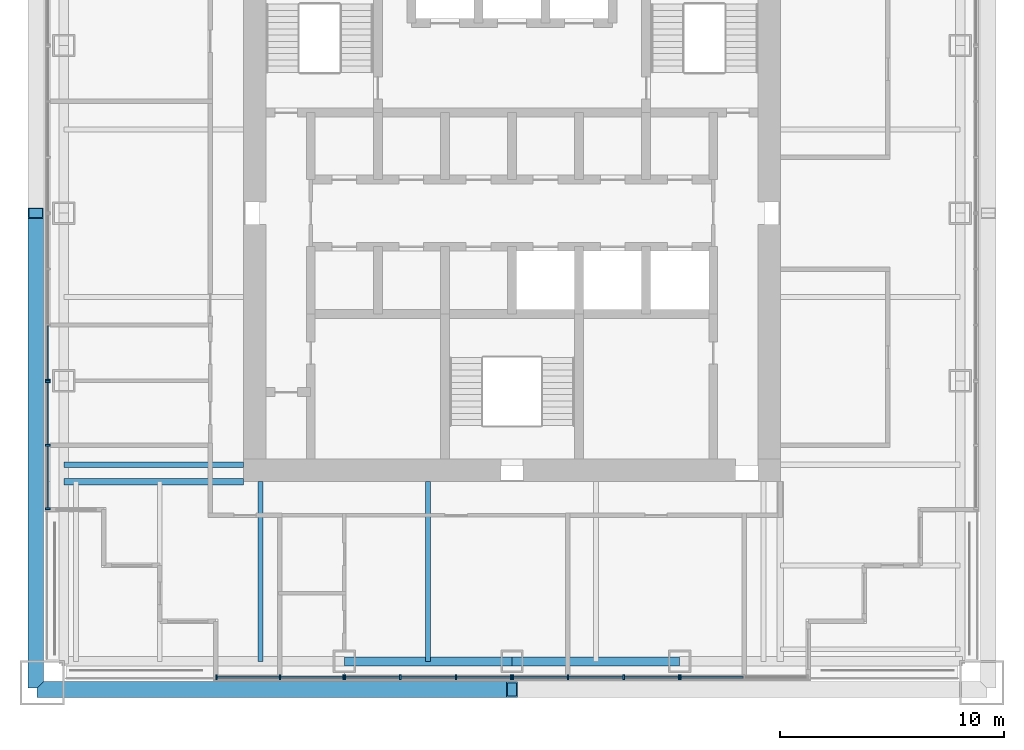
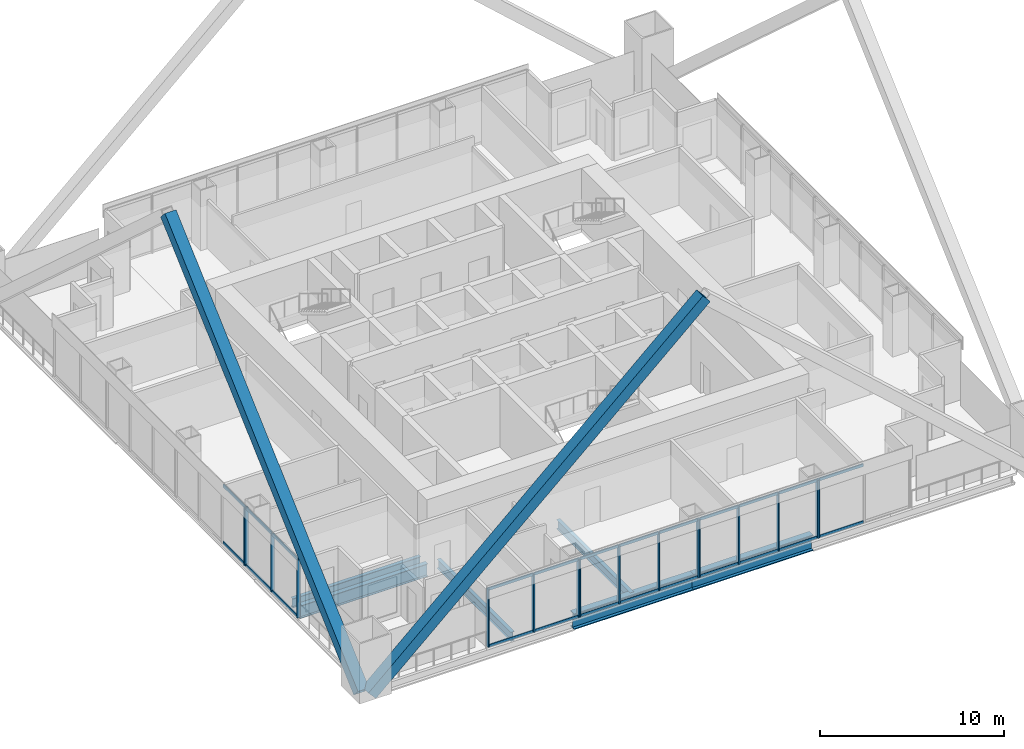
# One storey, part 2 of 13: 42 members, 6 beams, 6 elements without a shape of their own.
"""IFC4 building model written with IfcOpenShell, lengths in metres."""

import ifcopenshell
import ifcopenshell.guid

model = None  # the IFC model being written
_history = None  # IfcOwnerHistory: only IFC2X3 demands one
_inside = {}  # id of a spatial element -> (the spatial element, [elements in it])
_under = {}  # id of a project, library or spatial element -> (it, [spatial elements below it])
_declared = {}  # id of a project -> (the project, [libraries it declares])
_typed = {}  # id of a type object -> (the type object, [elements of that type])
_made_of = {}  # id of a material, layer set ... -> (it, [elements and type objects made of it])


def new_model(schema):
    """Start an empty IFC model of exactly this schema.

    Asked for "IFC4X3", IfcOpenShell would pick the latest addendum, in which some entities
    have other attributes; the version numbers below select the first issue.
    IFC2X3 requires an IfcOwnerHistory on every rooted entity: one is made here for all.
    """
    global model, _history
    if schema == "IFC4X3":
        model = ifcopenshell.file(schema_version=(4, 3, 0, 0))
    else:
        model = ifcopenshell.file(schema=schema)
    _inside.clear()
    _under.clear()
    _declared.clear()
    _typed.clear()
    _made_of.clear()
    _history = None
    if model.schema == "IFC2X3":
        org = make("IfcOrganization", Name="unknown")
        user = make(
            "IfcPersonAndOrganization",
            ThePerson=make("IfcPerson", FamilyName="unknown"),
            TheOrganization=org,
        )
        app = make(
            "IfcApplication",
            ApplicationDeveloper=org,
            Version="unknown",
            ApplicationFullName="unknown",
            ApplicationIdentifier="unknown",
        )
        _history = make(
            "IfcOwnerHistory",
            OwningUser=user,
            OwningApplication=app,
            ChangeAction="ADDED",
            CreationDate=0,
        )
    return model


def make(cls, **values):
    """One entity of the class cls with the attributes given. An attribute that is None is left unset."""
    return model.create_entity(
        cls, **{name: value for name, value in values.items() if value is not None}
    )


def rooted(cls, **values):
    """An entity with a GlobalId (a new one), such as an element, a storey or a relation."""
    return make(cls, GlobalId=ifcopenshell.guid.new(), OwnerHistory=_history, **values)


def si_unit(unit_type, name, prefix=None):
    """IfcSIUnit, for example si_unit("LENGTHUNIT", "METRE", prefix="MILLI")."""
    return make("IfcSIUnit", UnitType=unit_type, Prefix=prefix, Name=name)


def assignment(units):
    """IfcUnitAssignment: the units of a project."""
    return None if units is None else make("IfcUnitAssignment", Units=units)


def point(xyz):
    """IfcCartesianPoint."""
    return None if xyz is None else make("IfcCartesianPoint", Coordinates=xyz)


def direction(xyz):
    """IfcDirection."""
    return None if xyz is None else make("IfcDirection", DirectionRatios=xyz)


def frame(location, z_axis=None, x_axis=None):
    """IfcAxis2Placement3D, a coordinate frame: its origin and axes. An axis left out is left unset."""
    return make(
        "IfcAxis2Placement3D",
        Location=point(location),
        Axis=direction(z_axis),
        RefDirection=direction(x_axis),
    )


def frame_2d(location, x_axis=None):
    """IfcAxis2Placement2D, a coordinate frame in the plane: its origin and x axis."""
    return make(
        "IfcAxis2Placement2D", Location=point(location), RefDirection=direction(x_axis)
    )


def origin():
    """The frame at (0, 0, 0) with its axes left unset."""
    return frame((0.0, 0.0, 0.0))


def origin_2d():
    """The frame at (0, 0) in the plane with its x axis left unset."""
    return frame_2d((0.0, 0.0))


def place(relative_to, where):
    """IfcLocalPlacement: puts the frame where relative to a parent placement (None: the world)."""
    return make(
        "IfcLocalPlacement", PlacementRelTo=relative_to, RelativePlacement=where
    )


def context(
    kind, dimensions, precision=None, world=None, true_north=None, identifier=None
):
    """IfcGeometricRepresentationContext, for example the 3D "Model" context."""
    return make(
        "IfcGeometricRepresentationContext",
        ContextIdentifier=identifier,
        ContextType=kind,
        CoordinateSpaceDimension=dimensions,
        Precision=precision,
        WorldCoordinateSystem=world,
        TrueNorth=true_north,
    )


def subcontext(parent, identifier, kind, view, scale=None):
    """IfcGeometricRepresentationSubContext, for example "Body" below "Model"."""
    return make(
        "IfcGeometricRepresentationSubContext",
        ContextIdentifier=identifier,
        ContextType=kind,
        ParentContext=parent,
        TargetScale=scale,
        TargetView=view,
    )


def project(units=None, contexts=None):
    """IfcProject with its units and contexts."""
    return rooted(
        "IfcProject",
        Name="project",
        RepresentationContexts=contexts,
        UnitsInContext=assignment(units),
    )


def spatial(cls, under=None, at=None, **own):
    """A site, building, storey or space (cls), placed at a placement, below another one or the project."""
    s = rooted(cls, ObjectPlacement=at, **own)
    if under is not None:
        _under.setdefault(under.id(), (under, []))[1].append(s)
    return s


def profile(cls, at=None, kind="AREA", **sizes):
    """A parametric profile (cls). Its sizes go by their IFC names, for example OverallWidth=200.0."""
    return make(cls, ProfileType=kind, Position=at, **sizes)


def rectangle(**sizes):
    """IfcRectangleProfileDef."""
    return profile("IfcRectangleProfileDef", **sizes)


def hollow_rectangle(**sizes):
    """IfcRectangleHollowProfileDef."""
    return profile("IfcRectangleHollowProfileDef", **sizes)


def i_section(**sizes):
    """IfcIShapeProfileDef."""
    return profile("IfcIShapeProfileDef", **sizes)


def extrude(swept, where, along, depth):
    """IfcExtrudedAreaSolid: the profile swept, set in the frame where, extruded along a direction by depth."""
    return make(
        "IfcExtrudedAreaSolid",
        SweptArea=swept,
        Position=where,
        ExtrudedDirection=direction(along),
        Depth=depth,
    )


def shape(context_of_items, identifier, shape_type, items):
    """IfcShapeRepresentation: the items that make up one representation, for example the "Body"."""
    return make(
        "IfcShapeRepresentation",
        ContextOfItems=context_of_items,
        RepresentationIdentifier=identifier,
        RepresentationType=shape_type,
        Items=items,
    )


def material(Name=None, Category=None):
    """IfcMaterial."""
    return make("IfcMaterial", Name=Name, Category=Category)


def material_profile(
    of_material, cross_section, Name=None, Category=None, Priority=None
):
    """IfcMaterialProfile: a cross section and its material."""
    return make(
        "IfcMaterialProfile",
        Name=Name,
        Material=of_material,
        Profile=cross_section,
        Priority=Priority,
        Category=Category,
    )


def profile_set(profiles, Name=None, composite=None):
    """IfcMaterialProfileSet."""
    return make(
        "IfcMaterialProfileSet",
        Name=Name,
        MaterialProfiles=profiles,
        CompositeProfile=composite,
    )


def made_of(thing, what):
    """Note that an element or type object is made of a material, layer set ...; save() writes the relation."""
    if what is not None:
        _made_of.setdefault(what.id(), (what, []))[1].append(thing)
    return thing


def type_object(cls, material=None, **own):
    """A type object (cls), such as IfcWallType, which elements share."""
    return made_of(rooted(cls, **own), material)


def element(
    cls,
    number,
    at=None,
    inside=None,
    cuts=None,
    type_object=None,
    material=None,
    context=None,
    identifier="Body",
    shape_type=None,
    held_by="IfcProductDefinitionShape",
    body=None,
    shapes=None,
    **own,
):
    """One element of the class cls, such as IfcWall. Its Tag is "e" and its number.

    at: its placement. inside: the storey or other place that contains it. cuts: it is an
    opening in that element (IfcRelVoidsElement). A single representation is given by context,
    identifier, shape_type and body (its items); several are given by shapes. held_by: the class
    of the entity that holds the representations. save() writes the other relations.
    """
    e = rooted(cls, Tag="e%d" % number, ObjectPlacement=at, **own)
    if body is not None:
        shapes = [shape(context, identifier, shape_type, body)]
    if shapes is not None:
        e.Representation = make(held_by, Representations=shapes)
    if inside is not None:
        _inside.setdefault(inside.id(), (inside, []))[1].append(e)
    if cuts is not None:
        rooted(
            "IfcRelVoidsElement", RelatingBuildingElement=cuts, RelatedOpeningElement=e
        )
    if type_object is not None:
        _typed.setdefault(type_object.id(), (type_object, []))[1].append(e)
    return made_of(e, material)


def aggregate(whole, parts):
    """IfcRelAggregates: a whole, such as a stair, and the parts it consists of."""
    return rooted("IfcRelAggregates", RelatingObject=whole, RelatedObjects=parts)


def save(model, path):
    """Write the relations noted so far, then the file.

    IfcRelAggregates (storeys below a building ...), IfcRelContainedInSpatialStructure (elements
    in a storey), IfcRelDefinesByType, IfcRelAssociatesMaterial and IfcRelDeclares: one each for
    every whole, place, type object, material and project.
    """
    for whole, parts in _under.values():
        aggregate(whole, parts)
    for where, things in _inside.values():
        rooted(
            "IfcRelContainedInSpatialStructure",
            RelatedElements=things,
            RelatingStructure=where,
        )
    for kind, things in _typed.values():
        rooted("IfcRelDefinesByType", RelatedObjects=things, RelatingType=kind)
    for what, things in _made_of.values():
        rooted("IfcRelAssociatesMaterial", RelatedObjects=things, RelatingMaterial=what)
    for by, libraries in _declared.values():
        rooted("IfcRelDeclares", RelatingContext=by, RelatedDefinitions=libraries)
    model.write(path)


model = new_model("IFC4")

# Units and contexts
model_context = context("Model", 3, precision=1e-05, world=origin(), true_north=direction((0.0, 1.0)))
body_context = subcontext(model_context, "Body", "Model", "MODEL_VIEW")
ifc_project = project(units=[si_unit("LENGTHUNIT", "METRE"), si_unit("AREAUNIT", "SQUARE_METRE"), si_unit("VOLUMEUNIT", "CUBIC_METRE"), si_unit("PLANEANGLEUNIT", "RADIAN"), si_unit("MASSUNIT", "GRAM", prefix="KILO")], contexts=[model_context])

# Site, building, storey
site_placement = place(None, origin())
site = spatial("IfcSite", under=ifc_project, at=site_placement, CompositionType="ELEMENT")
building_placement = place(site_placement, origin())
building = spatial("IfcBuilding", under=site, at=building_placement, Name="Tarangal Relay Tower", CompositionType="ELEMENT")
storey_placement = place(building_placement, frame((0.0, 0.0, 259.89990234375)))
storey = spatial("IfcBuildingStorey", under=building, at=storey_placement, Name="L56", CompositionType="ELEMENT", Elevation=259.89990234375)

# Beams
ifc_material_1 = material(Name="Steel ASTM A992", Category="steel")
ifc_material_profile_1 = material_profile(ifc_material_1, i_section(OverallWidth=0.2919921875, OverallDepth=0.8408203125, WebThickness=0.0146484375, FlangeThickness=0.021728515625, at=origin_2d()), Name="W33X130")
ifc_profile_set_1 = profile_set([ifc_material_profile_1], Name="Steel ASTM A992")
beam_type_1 = type_object("IfcBeamType", Name="Corner girder W33X130", PredefinedType="BEAM", material=ifc_profile_set_1)
beam_placement = place(storey_placement, frame((-12.0, -12.0, -0.5703125), z_axis=(-1.0, 0.0, 0.0), x_axis=(0.0, -1.0, 0.0)))
element("IfcBeam", 1, at=beam_placement, inside=storey, type_object=beam_type_1, Name="Corner girder CG5 S L56", PredefinedType="BEAM", context=body_context, shape_type="SweptSolid", body=[
    extrude(i_section(OverallWidth=0.2919921875, OverallDepth=0.8408203125, WebThickness=0.0146484375, FlangeThickness=0.021728515625, at=origin_2d()), origin(), (0.0, 0.0, 1.0), 8.0400390625),
])
ifc_material_profile_2 = material_profile(ifc_material_1, i_section(OverallWidth=0.41162109375, OverallDepth=1.049072265625, WebThickness=0.033935546875, FlangeThickness=0.059814453125, at=origin_2d()), Name="W40X431")
ifc_profile_set_2 = profile_set([ifc_material_profile_2], Name="Steel ASTM A992")
beam_type_2 = type_object("IfcBeamType", Name="Edge girder W40X431", PredefinedType="SPANDREL", material=ifc_profile_set_2)
for number, where, z_axis, x_axis, name in (
    (2, (7.5, -20.0400390625, -0.67431640625), (-1.0, 0.0, 0.0), (0.0, -1.0, 0.0), "Edge girder EG1 S L56"),
    (3, (0.0, -20.0400390625, -0.67431640625), (-1.0, 0.0, 0.0), (0.0, -1.0, 0.0), "Edge girder EG1 S L56"),
):
    element("IfcBeam", number, at=place(storey_placement, frame(where, z_axis=z_axis, x_axis=x_axis)), inside=storey, type_object=beam_type_2, Name=name, PredefinedType="SPANDREL", context=body_context, shape_type="SweptSolid", body=[
        extrude(i_section(OverallWidth=0.41162109375, OverallDepth=1.049072265625, WebThickness=0.033935546875, FlangeThickness=0.059814453125, at=origin_2d()), origin(), (0.0, 0.0, 1.0), 7.5),
    ])
ifc_material_profile_3 = material_profile(ifc_material_1, i_section(OverallWidth=0.228271484375, OverallDepth=0.607177734375, WebThickness=0.01123046875, FlangeThickness=0.017333984375, at=origin_2d()), Name="W24X76")
ifc_profile_set_3 = profile_set([ifc_material_profile_3], Name="Steel ASTM A992")
beam_type_3 = type_object("IfcBeamType", Name="Floor beam W24X76", PredefinedType="BEAM", material=ifc_profile_set_3)
for number, where, z_axis, x_axis, name in (
    (4, (-3.75, -12.0, -0.453369140625), (0.0, -1.0, 0.0), (1.0, 0.0, 0.0), "Floor beam RB5 S L56"),
    (5, (-11.25, -12.0, -0.453369140625), (0.0, -1.0, 0.0), (1.0, 0.0, 0.0), "Floor beam RB5 S L56"),
    (6, (-12.0, -11.25, -0.453369140625), (-1.0, 0.0, 0.0), (0.0, -1.0, 0.0), "Floor beam RB5 W L56"),
):
    element("IfcBeam", number, at=place(storey_placement, frame(where, z_axis=z_axis, x_axis=x_axis)), inside=storey, type_object=beam_type_3, Name=name, PredefinedType="BEAM", context=body_context, shape_type="SweptSolid", body=[
        extrude(i_section(OverallWidth=0.228271484375, OverallDepth=0.607177734375, WebThickness=0.01123046875, FlangeThickness=0.017333984375, at=origin_2d()), origin(), (0.0, 0.0, 1.0), 8.0400390625),
    ])

# Members
ifc_material_2 = material(Name="Steel ASTM A572 Grade 50", Category="steel")
ifc_material_profile_4 = material_profile(ifc_material_2, hollow_rectangle(XDim=0.699951171875, YDim=0.699951171875, WallThickness=0.052001953125, at=origin_2d()), Name="BOX700X700X52")
ifc_profile_set_4 = profile_set([ifc_material_profile_4], Name="Steel ASTM A572 Grade 50")
member_type_1 = type_object("IfcMemberType", Name="Mega brace BOX700X700X52", PredefinedType="BRACE", material=ifc_profile_set_4)
for number, where, z_axis, x_axis, name in (
    (7, (-21.0, -21.300048828125, 0.0), (0.741535779124, 0.0, 0.670913323969), (0.0, 1.0, 0.0), "Mega brace MB4 S face module 1"),
    (8, (-21.300048828125, -21.0, 0.0), (0.0, 0.741535779124, 0.670913323969), (-1.0, 0.0, 0.0), "Mega brace MB4 W face module 1"),
):
    element("IfcMember", number, at=place(storey_placement, frame(where, z_axis=z_axis, x_axis=x_axis)), inside=storey, type_object=member_type_1, Name=name, PredefinedType="BRACE", context=body_context, shape_type="SweptSolid", body=[
        extrude(hollow_rectangle(XDim=0.699951171875, YDim=0.699951171875, WallThickness=0.052001953125, at=origin_2d()), origin(), (0.0, 0.0, 1.0), 28.319580078125),
    ])

# Curtain wall, member
ifc_material_3 = material(Name="Unitised curtain wall, dark glass and black aluminium", Category="aluminium")
curtain_wall_type = type_object("IfcCurtainWallType", Name="Curtain wall CW-S", PredefinedType="USERDEFINED", material=ifc_material_3)
curtain_wall_1_placement = place(storey_placement, origin())
curtain_wall_1 = element("IfcCurtainWall", 9, at=curtain_wall_1_placement, inside=storey, type_object=curtain_wall_type, Name="Curtain wall CW-S S facade L56", ObjectType="UNITISED CURTAIN WALL", PredefinedType="USERDEFINED")
ifc_material_4 = material(Name="Black anodised aluminium mullion", Category="aluminium")
ifc_material_profile_5 = material_profile(ifc_material_4, rectangle(XDim=0.219970703125, YDim=0.074951171875, at=origin_2d()), Name="CW-SM 75X220")
ifc_profile_set_5 = profile_set([ifc_material_profile_5], Name="Black anodised aluminium mullion")
member_type_2 = type_object("IfcMemberType", Name="Mullion CW-S 75 x 220", PredefinedType="MULLION", material=ifc_profile_set_5)
member_1_placement = place(storey_placement, frame((7.53759765625, -20.75, 0.0), z_axis=(0.0, 0.0, 1.0), x_axis=(0.0, -1.0, 0.0)))
member_1 = element("IfcMember", 10, at=member_1_placement, type_object=member_type_2, Name="CW-S mullion 3", PredefinedType="MULLION", context=body_context, shape_type="SweptSolid", body=[
    extrude(rectangle(XDim=0.219970703125, YDim=0.074951171875, at=origin_2d()), origin(), (0.0, 0.0, 1.0), 3.85009765625),
])

# Curtain wall, members
curtain_wall_2_placement = place(storey_placement, origin())
curtain_wall_2 = element("IfcCurtainWall", 11, at=curtain_wall_2_placement, inside=storey, type_object=curtain_wall_type, Name="Curtain wall CW-S S facade L56", ObjectType="UNITISED CURTAIN WALL", PredefinedType="USERDEFINED")
member_2_placement = place(storey_placement, frame((7.46240234375, -20.75, 0.0), z_axis=(0.0, 0.0, 1.0), x_axis=(0.0, -1.0, 0.0)))
member_2 = element("IfcMember", 12, at=member_2_placement, type_object=member_type_2, Name="CW-S mullion 1", PredefinedType="MULLION", context=body_context, shape_type="SweptSolid", body=[
    extrude(rectangle(XDim=0.219970703125, YDim=0.074951171875, at=origin_2d()), origin(), (0.0, 0.0, 1.0), 3.85009765625),
])
member_3_placement = place(storey_placement, frame((5.0, -20.75, 0.0), z_axis=(0.0, 0.0, 1.0), x_axis=(0.0, -1.0, 0.0)))
member_3 = element("IfcMember", 13, at=member_3_placement, type_object=member_type_2, Name="CW-S mullion 2", PredefinedType="MULLION", context=body_context, shape_type="SweptSolid", body=[
    extrude(rectangle(XDim=0.219970703125, YDim=0.074951171875, at=origin_2d()), origin(), (0.0, 0.0, 1.0), 3.85009765625),
])
member_4_placement = place(storey_placement, frame((2.5, -20.75, 0.0), z_axis=(0.0, 0.0, 1.0), x_axis=(0.0, -1.0, 0.0)))
member_4 = element("IfcMember", 14, at=member_4_placement, type_object=member_type_2, Name="CW-S mullion 3", PredefinedType="MULLION", context=body_context, shape_type="SweptSolid", body=[
    extrude(rectangle(XDim=0.219970703125, YDim=0.074951171875, at=origin_2d()), origin(), (0.0, 0.0, 1.0), 3.85009765625),
])
member_5_placement = place(storey_placement, frame((0.03759765625, -20.75, 0.0), z_axis=(0.0, 0.0, 1.0), x_axis=(0.0, -1.0, 0.0)))
member_5 = element("IfcMember", 15, at=member_5_placement, type_object=member_type_2, Name="CW-S mullion 4", PredefinedType="MULLION", context=body_context, shape_type="SweptSolid", body=[
    extrude(rectangle(XDim=0.219970703125, YDim=0.074951171875, at=origin_2d()), origin(), (0.0, 0.0, 1.0), 3.85009765625),
])

curtain_wall_3_placement = place(storey_placement, origin())
curtain_wall_3 = element("IfcCurtainWall", 16, at=curtain_wall_3_placement, inside=storey, type_object=curtain_wall_type, Name="Curtain wall CW-S S facade L56", ObjectType="UNITISED CURTAIN WALL", PredefinedType="USERDEFINED")
member_6_placement = place(storey_placement, frame((-0.03759765625, -20.75, 0.0), z_axis=(0.0, 0.0, 1.0), x_axis=(0.0, -1.0, 0.0)))
member_6 = element("IfcMember", 17, at=member_6_placement, type_object=member_type_2, Name="CW-S mullion 1", PredefinedType="MULLION", context=body_context, shape_type="SweptSolid", body=[
    extrude(rectangle(XDim=0.219970703125, YDim=0.074951171875, at=origin_2d()), origin(), (0.0, 0.0, 1.0), 3.85009765625),
])
member_7_placement = place(storey_placement, frame((-2.5, -20.75, 0.0), z_axis=(0.0, 0.0, 1.0), x_axis=(0.0, -1.0, 0.0)))
member_7 = element("IfcMember", 18, at=member_7_placement, type_object=member_type_2, Name="CW-S mullion 2", PredefinedType="MULLION", context=body_context, shape_type="SweptSolid", body=[
    extrude(rectangle(XDim=0.219970703125, YDim=0.074951171875, at=origin_2d()), origin(), (0.0, 0.0, 1.0), 3.85009765625),
])
member_8_placement = place(storey_placement, frame((-5.0, -20.75, 0.0), z_axis=(0.0, 0.0, 1.0), x_axis=(0.0, -1.0, 0.0)))
member_8 = element("IfcMember", 19, at=member_8_placement, type_object=member_type_2, Name="CW-S mullion 3", PredefinedType="MULLION", context=body_context, shape_type="SweptSolid", body=[
    extrude(rectangle(XDim=0.219970703125, YDim=0.074951171875, at=origin_2d()), origin(), (0.0, 0.0, 1.0), 3.85009765625),
])
member_9_placement = place(storey_placement, frame((-7.46240234375, -20.75, 0.0), z_axis=(0.0, 0.0, 1.0), x_axis=(0.0, -1.0, 0.0)))
member_9 = element("IfcMember", 20, at=member_9_placement, type_object=member_type_2, Name="CW-S mullion 4", PredefinedType="MULLION", context=body_context, shape_type="SweptSolid", body=[
    extrude(rectangle(XDim=0.219970703125, YDim=0.074951171875, at=origin_2d()), origin(), (0.0, 0.0, 1.0), 3.85009765625),
])

curtain_wall_4_placement = place(storey_placement, origin())
curtain_wall_4 = element("IfcCurtainWall", 21, at=curtain_wall_4_placement, inside=storey, type_object=curtain_wall_type, Name="Curtain wall CW-S S facade L56", ObjectType="UNITISED CURTAIN WALL", PredefinedType="USERDEFINED")
member_10_placement = place(storey_placement, frame((-7.53759765625, -20.75, 0.0), z_axis=(0.0, 0.0, 1.0), x_axis=(0.0, -1.0, 0.0)))
member_10 = element("IfcMember", 22, at=member_10_placement, type_object=member_type_2, Name="CW-S mullion 1", PredefinedType="MULLION", context=body_context, shape_type="SweptSolid", body=[
    extrude(rectangle(XDim=0.219970703125, YDim=0.074951171875, at=origin_2d()), origin(), (0.0, 0.0, 1.0), 3.85009765625),
])
member_11_placement = place(storey_placement, frame((-10.375, -20.75, 0.0), z_axis=(0.0, 0.0, 1.0), x_axis=(0.0, -1.0, 0.0)))
member_11 = element("IfcMember", 23, at=member_11_placement, type_object=member_type_2, Name="CW-S mullion 2", PredefinedType="MULLION", context=body_context, shape_type="SweptSolid", body=[
    extrude(rectangle(XDim=0.219970703125, YDim=0.074951171875, at=origin_2d()), origin(), (0.0, 0.0, 1.0), 3.85009765625),
])
member_12_placement = place(storey_placement, frame((-13.21240234375, -20.75, 0.0), z_axis=(0.0, 0.0, 1.0), x_axis=(0.0, -1.0, 0.0)))
member_12 = element("IfcMember", 24, at=member_12_placement, type_object=member_type_2, Name="CW-S mullion 3", PredefinedType="MULLION", context=body_context, shape_type="SweptSolid", body=[
    extrude(rectangle(XDim=0.219970703125, YDim=0.074951171875, at=origin_2d()), origin(), (0.0, 0.0, 1.0), 3.85009765625),
])

curtain_wall_5_placement = place(storey_placement, origin())
curtain_wall_5 = element("IfcCurtainWall", 25, at=curtain_wall_5_placement, inside=storey, type_object=curtain_wall_type, Name="Curtain wall CW-S W facade L56", ObjectType="UNITISED CURTAIN WALL", PredefinedType="USERDEFINED")
member_13_placement = place(storey_placement, frame((-20.75, -13.21240234375, 0.0), z_axis=(0.0, 0.0, 1.0), x_axis=(-1.0, 0.0, 0.0)))
member_13 = element("IfcMember", 26, at=member_13_placement, type_object=member_type_2, Name="CW-S mullion 1", PredefinedType="MULLION", context=body_context, shape_type="SweptSolid", body=[
    extrude(rectangle(XDim=0.219970703125, YDim=0.074951171875, at=origin_2d()), origin(), (0.0, 0.0, 1.0), 3.85009765625),
])
member_14_placement = place(storey_placement, frame((-20.75, -10.375, 0.0), z_axis=(0.0, 0.0, 1.0), x_axis=(-1.0, 0.0, 0.0)))
member_14 = element("IfcMember", 27, at=member_14_placement, type_object=member_type_2, Name="CW-S mullion 2", PredefinedType="MULLION", context=body_context, shape_type="SweptSolid", body=[
    extrude(rectangle(XDim=0.219970703125, YDim=0.074951171875, at=origin_2d()), origin(), (0.0, 0.0, 1.0), 3.85009765625),
])
member_15_placement = place(storey_placement, frame((-20.75, -7.53759765625, 0.0), z_axis=(0.0, 0.0, 1.0), x_axis=(-1.0, 0.0, 0.0)))
member_15 = element("IfcMember", 28, at=member_15_placement, type_object=member_type_2, Name="CW-S mullion 3", PredefinedType="MULLION", context=body_context, shape_type="SweptSolid", body=[
    extrude(rectangle(XDim=0.219970703125, YDim=0.074951171875, at=origin_2d()), origin(), (0.0, 0.0, 1.0), 3.85009765625),
])

# Curtain wall, member
curtain_wall_6_placement = place(storey_placement, origin())
curtain_wall_6 = element("IfcCurtainWall", 29, at=curtain_wall_6_placement, inside=storey, type_object=curtain_wall_type, Name="Curtain wall CW-S W facade L56", ObjectType="UNITISED CURTAIN WALL", PredefinedType="USERDEFINED")
member_16_placement = place(storey_placement, frame((-20.75, -7.46240234375, 0.0), z_axis=(0.0, 0.0, 1.0), x_axis=(-1.0, 0.0, 0.0)))
member_16 = element("IfcMember", 30, at=member_16_placement, type_object=member_type_2, Name="CW-S mullion 1", PredefinedType="MULLION", context=body_context, shape_type="SweptSolid", body=[
    extrude(rectangle(XDim=0.219970703125, YDim=0.074951171875, at=origin_2d()), origin(), (0.0, 0.0, 1.0), 3.85009765625),
])

# Member
ifc_material_5 = material(Name="Black anodised aluminium transom", Category="aluminium")
ifc_material_profile_6 = material_profile(ifc_material_5, rectangle(XDim=0.074951171875, YDim=0.179931640625, at=origin_2d()), Name="CW-ST 75X180")
ifc_profile_set_6 = profile_set([ifc_material_profile_6], Name="Black anodised aluminium transom")
member_type_3 = type_object("IfcMemberType", Name="Transom CW-S 75 x 180", PredefinedType="USERDEFINED", material=ifc_profile_set_6)
member_17_placement = place(storey_placement, frame((10.33740234375, -20.75, 0.03759765625), z_axis=(-1.0, 0.0, 0.0), x_axis=(0.0, -1.0, 0.0)))
member_17 = element("IfcMember", 31, at=member_17_placement, type_object=member_type_3, Name="CW-S transom 2.1", ObjectType="TRANSOM", PredefinedType="USERDEFINED", context=body_context, shape_type="SweptSolid", body=[
    extrude(rectangle(XDim=0.074951171875, YDim=0.179931640625, at=origin_2d()), origin(), (0.0, 0.0, 1.0), 2.762451171875),
])

member_18_placement = place(storey_placement, frame((10.33740234375, -20.75, 3.8125), z_axis=(-1.0, 0.0, 0.0), x_axis=(0.0, -1.0, 0.0)))
member_18 = element("IfcMember", 32, at=member_18_placement, type_object=member_type_3, Name="CW-S transom 2.2", ObjectType="TRANSOM", PredefinedType="USERDEFINED", context=body_context, shape_type="SweptSolid", body=[
    extrude(rectangle(XDim=0.074951171875, YDim=0.179931640625, at=origin_2d()), origin(), (0.0, 0.0, 1.0), 2.762451171875),
])

aggregate(curtain_wall_1, [member_1, member_17, member_18])

member_19_placement = place(storey_placement, frame((7.425048828125, -20.75, 0.03759765625), z_axis=(-1.0, 0.0, 0.0), x_axis=(0.0, -1.0, 0.0)))
member_19 = element("IfcMember", 33, at=member_19_placement, type_object=member_type_3, Name="CW-S transom 1.1", ObjectType="TRANSOM", PredefinedType="USERDEFINED", context=body_context, shape_type="SweptSolid", body=[
    extrude(rectangle(XDim=0.074951171875, YDim=0.179931640625, at=origin_2d()), origin(), (0.0, 0.0, 1.0), 2.387451171875),
])

member_20_placement = place(storey_placement, frame((7.425048828125, -20.75, 3.8125), z_axis=(-1.0, 0.0, 0.0), x_axis=(0.0, -1.0, 0.0)))
member_20 = element("IfcMember", 34, at=member_20_placement, type_object=member_type_3, Name="CW-S transom 1.2", ObjectType="TRANSOM", PredefinedType="USERDEFINED", context=body_context, shape_type="SweptSolid", body=[
    extrude(rectangle(XDim=0.074951171875, YDim=0.179931640625, at=origin_2d()), origin(), (0.0, 0.0, 1.0), 2.387451171875),
])

member_21_placement = place(storey_placement, frame((4.96240234375, -20.75, 0.03759765625), z_axis=(-1.0, 0.0, 0.0), x_axis=(0.0, -1.0, 0.0)))
member_21 = element("IfcMember", 35, at=member_21_placement, type_object=member_type_3, Name="CW-S transom 2.1", ObjectType="TRANSOM", PredefinedType="USERDEFINED", context=body_context, shape_type="SweptSolid", body=[
    extrude(rectangle(XDim=0.074951171875, YDim=0.179931640625, at=origin_2d()), origin(), (0.0, 0.0, 1.0), 2.4248046875),
])

member_22_placement = place(storey_placement, frame((4.96240234375, -20.75, 3.8125), z_axis=(-1.0, 0.0, 0.0), x_axis=(0.0, -1.0, 0.0)))
member_22 = element("IfcMember", 36, at=member_22_placement, type_object=member_type_3, Name="CW-S transom 2.2", ObjectType="TRANSOM", PredefinedType="USERDEFINED", context=body_context, shape_type="SweptSolid", body=[
    extrude(rectangle(XDim=0.074951171875, YDim=0.179931640625, at=origin_2d()), origin(), (0.0, 0.0, 1.0), 2.4248046875),
])

member_23_placement = place(storey_placement, frame((2.46240234375, -20.75, 0.03759765625), z_axis=(-1.0, 0.0, 0.0), x_axis=(0.0, -1.0, 0.0)))
member_23 = element("IfcMember", 37, at=member_23_placement, type_object=member_type_3, Name="CW-S transom 3.1", ObjectType="TRANSOM", PredefinedType="USERDEFINED", context=body_context, shape_type="SweptSolid", body=[
    extrude(rectangle(XDim=0.074951171875, YDim=0.179931640625, at=origin_2d()), origin(), (0.0, 0.0, 1.0), 2.387451171875),
])

member_24_placement = place(storey_placement, frame((2.46240234375, -20.75, 3.8125), z_axis=(-1.0, 0.0, 0.0), x_axis=(0.0, -1.0, 0.0)))
member_24 = element("IfcMember", 38, at=member_24_placement, type_object=member_type_3, Name="CW-S transom 3.2", ObjectType="TRANSOM", PredefinedType="USERDEFINED", context=body_context, shape_type="SweptSolid", body=[
    extrude(rectangle(XDim=0.074951171875, YDim=0.179931640625, at=origin_2d()), origin(), (0.0, 0.0, 1.0), 2.387451171875),
])

aggregate(curtain_wall_2, [member_2, member_3, member_4, member_5, member_19, member_20, member_21, member_22, member_23, member_24])

member_25_placement = place(storey_placement, frame((-0.074951171875, -20.75, 0.03759765625), z_axis=(-1.0, 0.0, 0.0), x_axis=(0.0, -1.0, 0.0)))
member_25 = element("IfcMember", 39, at=member_25_placement, type_object=member_type_3, Name="CW-S transom 1.1", ObjectType="TRANSOM", PredefinedType="USERDEFINED", context=body_context, shape_type="SweptSolid", body=[
    extrude(rectangle(XDim=0.074951171875, YDim=0.179931640625, at=origin_2d()), origin(), (0.0, 0.0, 1.0), 2.387451171875),
])

member_26_placement = place(storey_placement, frame((-0.074951171875, -20.75, 3.8125), z_axis=(-1.0, 0.0, 0.0), x_axis=(0.0, -1.0, 0.0)))
member_26 = element("IfcMember", 40, at=member_26_placement, type_object=member_type_3, Name="CW-S transom 1.2", ObjectType="TRANSOM", PredefinedType="USERDEFINED", context=body_context, shape_type="SweptSolid", body=[
    extrude(rectangle(XDim=0.074951171875, YDim=0.179931640625, at=origin_2d()), origin(), (0.0, 0.0, 1.0), 2.387451171875),
])

member_27_placement = place(storey_placement, frame((-2.53759765625, -20.75, 0.03759765625), z_axis=(-1.0, 0.0, 0.0), x_axis=(0.0, -1.0, 0.0)))
member_27 = element("IfcMember", 41, at=member_27_placement, type_object=member_type_3, Name="CW-S transom 2.1", ObjectType="TRANSOM", PredefinedType="USERDEFINED", context=body_context, shape_type="SweptSolid", body=[
    extrude(rectangle(XDim=0.074951171875, YDim=0.179931640625, at=origin_2d()), origin(), (0.0, 0.0, 1.0), 2.4248046875),
])

member_28_placement = place(storey_placement, frame((-2.53759765625, -20.75, 3.8125), z_axis=(-1.0, 0.0, 0.0), x_axis=(0.0, -1.0, 0.0)))
member_28 = element("IfcMember", 42, at=member_28_placement, type_object=member_type_3, Name="CW-S transom 2.2", ObjectType="TRANSOM", PredefinedType="USERDEFINED", context=body_context, shape_type="SweptSolid", body=[
    extrude(rectangle(XDim=0.074951171875, YDim=0.179931640625, at=origin_2d()), origin(), (0.0, 0.0, 1.0), 2.4248046875),
])

member_29_placement = place(storey_placement, frame((-5.03759765625, -20.75, 0.03759765625), z_axis=(-1.0, 0.0, 0.0), x_axis=(0.0, -1.0, 0.0)))
member_29 = element("IfcMember", 43, at=member_29_placement, type_object=member_type_3, Name="CW-S transom 3.1", ObjectType="TRANSOM", PredefinedType="USERDEFINED", context=body_context, shape_type="SweptSolid", body=[
    extrude(rectangle(XDim=0.074951171875, YDim=0.179931640625, at=origin_2d()), origin(), (0.0, 0.0, 1.0), 2.387451171875),
])

member_30_placement = place(storey_placement, frame((-5.03759765625, -20.75, 3.8125), z_axis=(-1.0, 0.0, 0.0), x_axis=(0.0, -1.0, 0.0)))
member_30 = element("IfcMember", 44, at=member_30_placement, type_object=member_type_3, Name="CW-S transom 3.2", ObjectType="TRANSOM", PredefinedType="USERDEFINED", context=body_context, shape_type="SweptSolid", body=[
    extrude(rectangle(XDim=0.074951171875, YDim=0.179931640625, at=origin_2d()), origin(), (0.0, 0.0, 1.0), 2.387451171875),
])

aggregate(curtain_wall_3, [member_6, member_7, member_8, member_9, member_25, member_26, member_27, member_28, member_29, member_30])

member_31_placement = place(storey_placement, frame((-7.574951171875, -20.75, 0.03759765625), z_axis=(-1.0, 0.0, 0.0), x_axis=(0.0, -1.0, 0.0)))
member_31 = element("IfcMember", 45, at=member_31_placement, type_object=member_type_3, Name="CW-S transom 1.1", ObjectType="TRANSOM", PredefinedType="USERDEFINED", context=body_context, shape_type="SweptSolid", body=[
    extrude(rectangle(XDim=0.074951171875, YDim=0.179931640625, at=origin_2d()), origin(), (0.0, 0.0, 1.0), 2.762451171875),
])

member_32_placement = place(storey_placement, frame((-7.574951171875, -20.75, 3.8125), z_axis=(-1.0, 0.0, 0.0), x_axis=(0.0, -1.0, 0.0)))
member_32 = element("IfcMember", 46, at=member_32_placement, type_object=member_type_3, Name="CW-S transom 1.2", ObjectType="TRANSOM", PredefinedType="USERDEFINED", context=body_context, shape_type="SweptSolid", body=[
    extrude(rectangle(XDim=0.074951171875, YDim=0.179931640625, at=origin_2d()), origin(), (0.0, 0.0, 1.0), 2.762451171875),
])

member_33_placement = place(storey_placement, frame((-10.41259765625, -20.75, 0.03759765625), z_axis=(-1.0, 0.0, 0.0), x_axis=(0.0, -1.0, 0.0)))
member_33 = element("IfcMember", 47, at=member_33_placement, type_object=member_type_3, Name="CW-S transom 2.1", ObjectType="TRANSOM", PredefinedType="USERDEFINED", context=body_context, shape_type="SweptSolid", body=[
    extrude(rectangle(XDim=0.074951171875, YDim=0.179931640625, at=origin_2d()), origin(), (0.0, 0.0, 1.0), 2.762451171875),
])

member_34_placement = place(storey_placement, frame((-10.41259765625, -20.75, 3.8125), z_axis=(-1.0, 0.0, 0.0), x_axis=(0.0, -1.0, 0.0)))
member_34 = element("IfcMember", 48, at=member_34_placement, type_object=member_type_3, Name="CW-S transom 2.2", ObjectType="TRANSOM", PredefinedType="USERDEFINED", context=body_context, shape_type="SweptSolid", body=[
    extrude(rectangle(XDim=0.074951171875, YDim=0.179931640625, at=origin_2d()), origin(), (0.0, 0.0, 1.0), 2.762451171875),
])

aggregate(curtain_wall_4, [member_10, member_11, member_12, member_31, member_32, member_33, member_34])

member_35_placement = place(storey_placement, frame((-20.75, -13.175048828125, 0.03759765625), z_axis=(0.0, 1.0, 0.0), x_axis=(-1.0, 0.0, 0.0)))
member_35 = element("IfcMember", 49, at=member_35_placement, type_object=member_type_3, Name="CW-S transom 1.1", ObjectType="TRANSOM", PredefinedType="USERDEFINED", context=body_context, shape_type="SweptSolid", body=[
    extrude(rectangle(XDim=0.074951171875, YDim=0.179931640625, at=origin_2d()), origin(), (0.0, 0.0, 1.0), 2.762451171875),
])

member_36_placement = place(storey_placement, frame((-20.75, -13.175048828125, 3.8125), z_axis=(0.0, 1.0, 0.0), x_axis=(-1.0, 0.0, 0.0)))
member_36 = element("IfcMember", 50, at=member_36_placement, type_object=member_type_3, Name="CW-S transom 1.2", ObjectType="TRANSOM", PredefinedType="USERDEFINED", context=body_context, shape_type="SweptSolid", body=[
    extrude(rectangle(XDim=0.074951171875, YDim=0.179931640625, at=origin_2d()), origin(), (0.0, 0.0, 1.0), 2.762451171875),
])

member_37_placement = place(storey_placement, frame((-20.75, -10.33740234375, 0.03759765625), z_axis=(0.0, 1.0, 0.0), x_axis=(-1.0, 0.0, 0.0)))
member_37 = element("IfcMember", 51, at=member_37_placement, type_object=member_type_3, Name="CW-S transom 2.1", ObjectType="TRANSOM", PredefinedType="USERDEFINED", context=body_context, shape_type="SweptSolid", body=[
    extrude(rectangle(XDim=0.074951171875, YDim=0.179931640625, at=origin_2d()), origin(), (0.0, 0.0, 1.0), 2.762451171875),
])

member_38_placement = place(storey_placement, frame((-20.75, -10.33740234375, 3.8125), z_axis=(0.0, 1.0, 0.0), x_axis=(-1.0, 0.0, 0.0)))
member_38 = element("IfcMember", 52, at=member_38_placement, type_object=member_type_3, Name="CW-S transom 2.2", ObjectType="TRANSOM", PredefinedType="USERDEFINED", context=body_context, shape_type="SweptSolid", body=[
    extrude(rectangle(XDim=0.074951171875, YDim=0.179931640625, at=origin_2d()), origin(), (0.0, 0.0, 1.0), 2.762451171875),
])

aggregate(curtain_wall_5, [member_13, member_14, member_15, member_35, member_36, member_37, member_38])

member_39_placement = place(storey_placement, frame((-20.75, -7.425048828125, 0.03759765625), z_axis=(0.0, 1.0, 0.0), x_axis=(-1.0, 0.0, 0.0)))
member_39 = element("IfcMember", 53, at=member_39_placement, type_object=member_type_3, Name="CW-S transom 1.1", ObjectType="TRANSOM", PredefinedType="USERDEFINED", context=body_context, shape_type="SweptSolid", body=[
    extrude(rectangle(XDim=0.074951171875, YDim=0.179931640625, at=origin_2d()), origin(), (0.0, 0.0, 1.0), 2.387451171875),
])

member_40_placement = place(storey_placement, frame((-20.75, -7.425048828125, 3.8125), z_axis=(0.0, 1.0, 0.0), x_axis=(-1.0, 0.0, 0.0)))
member_40 = element("IfcMember", 54, at=member_40_placement, type_object=member_type_3, Name="CW-S transom 1.2", ObjectType="TRANSOM", PredefinedType="USERDEFINED", context=body_context, shape_type="SweptSolid", body=[
    extrude(rectangle(XDim=0.074951171875, YDim=0.179931640625, at=origin_2d()), origin(), (0.0, 0.0, 1.0), 2.387451171875),
])

aggregate(curtain_wall_6, [member_16, member_39, member_40])

save(model, "model.ifc")
